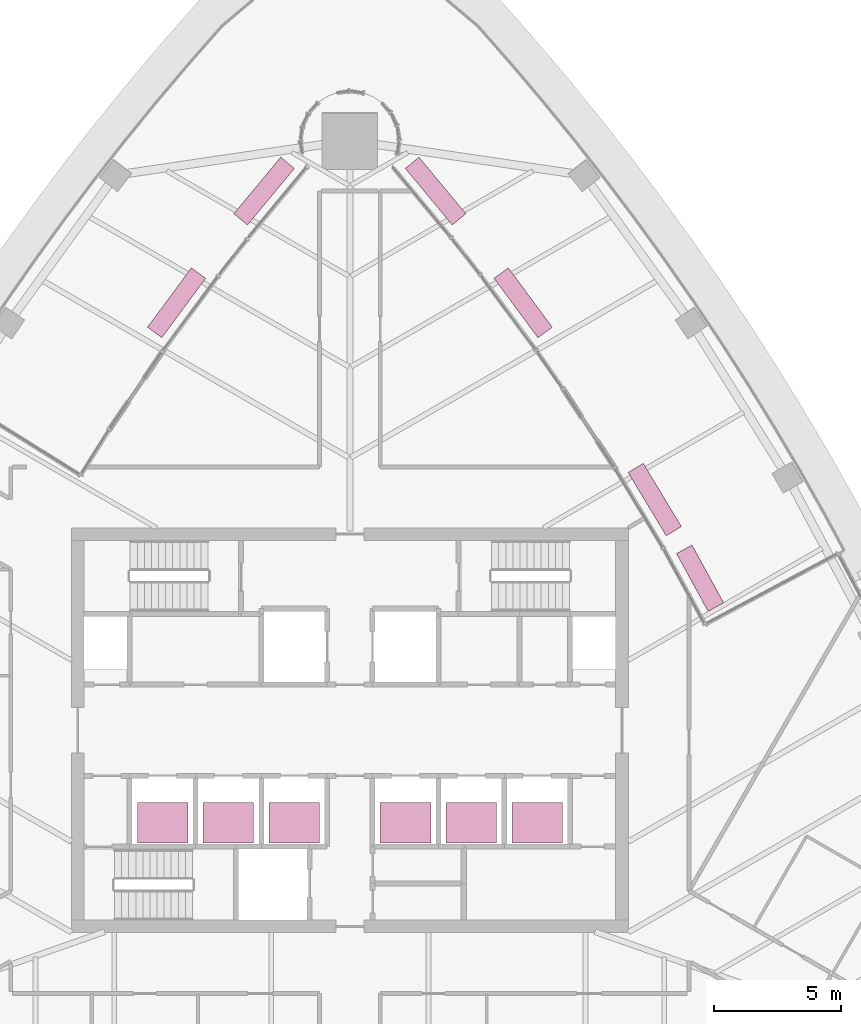
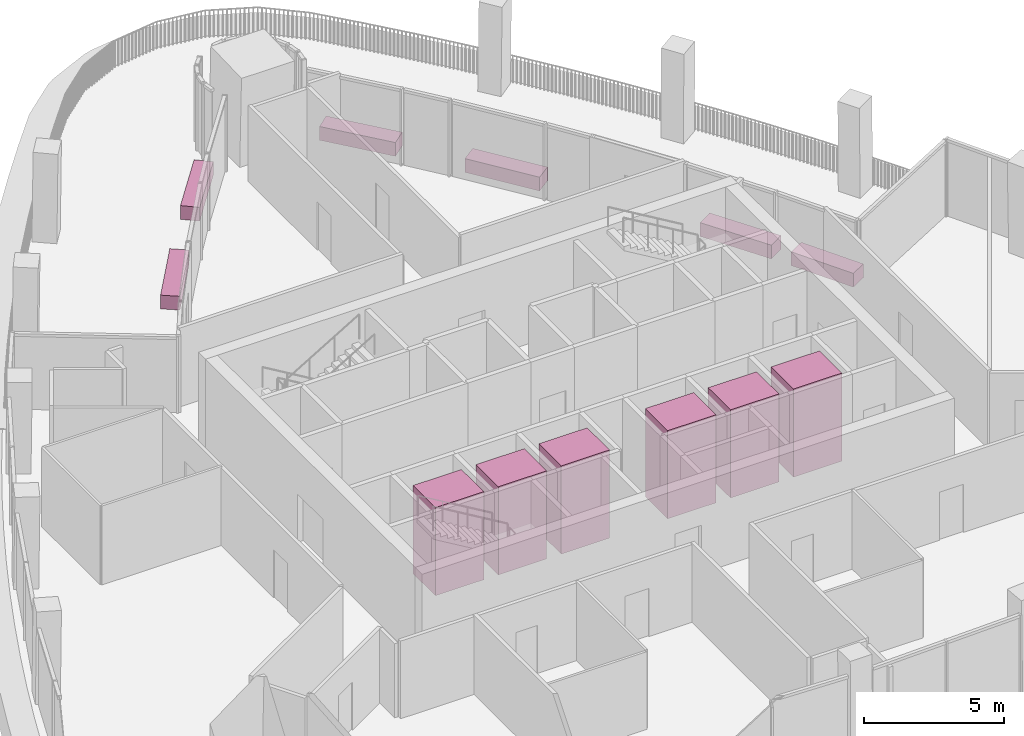
# One storey, part 18 of 18: 6 furniture elements, 6 transport elements.
"""IFC4 building model written with IfcOpenShell, lengths in metres."""

from ifc_helpers import new_model, si_unit, direction, frame, origin, origin_2d, place, context, subcontext, project, spatial, rectangle, extrude, material, type_object, element, save


model = new_model("IFC4")

# Units and contexts
model_context = context("Model", 3, precision=1e-05, world=origin(), true_north=direction((0.0, 1.0)))
body_context = subcontext(model_context, "Body", "Model", "MODEL_VIEW")
ifc_project = project(units=[si_unit("LENGTHUNIT", "METRE"), si_unit("AREAUNIT", "SQUARE_METRE"), si_unit("VOLUMEUNIT", "CUBIC_METRE"), si_unit("PLANEANGLEUNIT", "RADIAN"), si_unit("MASSUNIT", "GRAM", prefix="KILO")], contexts=[model_context])

# Site, building, storey
site_placement = place(None, origin())
site = spatial("IfcSite", under=ifc_project, at=site_placement, CompositionType="ELEMENT")
building_placement = place(site_placement, origin())
building = spatial("IfcBuilding", under=site, at=building_placement, Name="Sierra Prisma Convention Tower", CompositionType="ELEMENT")
storey_placement = place(building_placement, frame((0.0, 0.0, 307.0)))
storey = spatial("IfcBuildingStorey", under=building, at=storey_placement, Name="L70", CompositionType="ELEMENT", Elevation=307.0)

# Transport elements
ifc_material_1 = material(Name="Stainless steel", Category="steel")
transport_element_type = type_object("IfcTransportElementType", Name="Lift car office high 2000x1600 1600 kg", PredefinedType="ELEVATOR", material=ifc_material_1)
for number, where, z_axis, x_axis, name in (
    (1, (-7.39990234375, -3.64990234375, 0.0), (0.0, 0.0, 1.0), (1.0, 0.0, 0.0), "Lift OH1"),
    (2, (-4.800048828125, -3.64990234375, 0.0), (0.0, 0.0, 1.0), (1.0, 0.0, 0.0), "Lift OH2"),
    (3, (-2.199951171875, -3.64990234375, 0.0), (0.0, 0.0, 1.0), (1.0, 0.0, 0.0), "Lift OH3"),
    (4, (2.199951171875, -3.64990234375, 0.0), (0.0, 0.0, 1.0), (1.0, 0.0, 0.0), "Lift OH4"),
    (5, (4.800048828125, -3.64990234375, 0.0), (0.0, 0.0, 1.0), (1.0, 0.0, 0.0), "Lift OH5"),
    (6, (7.39990234375, -3.64990234375, 0.0), (0.0, 0.0, 1.0), (1.0, 0.0, 0.0), "Lift OH6"),
):
    element("IfcTransportElement", number, at=place(storey_placement, frame(where, z_axis=z_axis, x_axis=x_axis)), inside=storey, type_object=transport_element_type, Name=name, PredefinedType="ELEVATOR", context=body_context, shape_type="SweptSolid", body=[
        extrude(rectangle(XDim=2.0, YDim=1.60009765625, at=origin_2d()), origin(), (0.0, 0.0, 1.0), 3.85009765625),
    ])

# Furniture
ifc_material_2 = material(Name="Precast concrete C40/50", Category="concrete")
furniture_type = type_object("IfcFurnitureType", Name="Terrace planter", AssemblyPlace="NOTDEFINED", PredefinedType="USERDEFINED", material=ifc_material_2)
furniture_1_placement = place(storey_placement, frame((13.836181640625, 6.00732421875, 0.0400390625), z_axis=(0.0, 0.0, 1.0), x_axis=(-0.480643159377, 0.876916274991, 0.0)))
element("IfcFurniture", 7, at=furniture_1_placement, inside=storey, type_object=furniture_type, Name="Planter L70.1", ObjectType="PLANTER", PredefinedType="USERDEFINED", context=body_context, shape_type="SweptSolid", body=[
    extrude(rectangle(XDim=2.600830078125, YDim=0.699951171875, at=origin_2d()), origin(), (0.0, 0.0, 1.0), 0.60009765625),
])
for number, where, z_axis, x_axis, name in (
    (8, (12.045166015625, 9.114990234375, 0.0400390625), (0.0, 0.0, 1.0), (-0.516206318013, 0.856464265012, 0.0), "Planter L70.2"),
    (9, (6.845703125, 16.889404296875, 0.0400390625), (0.0, 0.0, 1.0), (-0.59438393371, 0.804181409477, 0.0), "Planter L70.5"),
):
    element("IfcFurniture", number, at=place(storey_placement, frame(where, z_axis=z_axis, x_axis=x_axis)), inside=storey, type_object=furniture_type, Name=name, ObjectType="PLANTER", PredefinedType="USERDEFINED", context=body_context, shape_type="SweptSolid", body=[
        extrude(rectangle(XDim=2.916748046875, YDim=0.699951171875, at=origin_2d()), origin(), (0.0, 0.0, 1.0), 0.60009765625),
    ])
for number, where, z_axis, x_axis, name in (
    (10, (3.3876953125, 21.302490234375, 0.0400390625), (0.0, 0.0, 1.0), (-0.63878406426, 0.76938606645, 0.0), "Planter L70.7"),
    (11, (-3.3876953125, 21.302490234375, 0.0400390625), (0.0, 0.0, 1.0), (-0.63878406426, -0.76938606645, 0.0), "Planter L70.24"),
):
    element("IfcFurniture", number, at=place(storey_placement, frame(where, z_axis=z_axis, x_axis=x_axis)), inside=storey, type_object=furniture_type, Name=name, ObjectType="PLANTER", PredefinedType="USERDEFINED", context=body_context, shape_type="SweptSolid", body=[
        extrude(rectangle(XDim=2.90380859375, YDim=0.699951171875, at=origin_2d()), origin(), (0.0, 0.0, 1.0), 0.60009765625),
    ])
furniture_2_placement = place(storey_placement, frame((-6.845703125, 16.889404296875, 0.0400390625), z_axis=(0.0, 0.0, 1.0), x_axis=(-0.59438393371, -0.804181409477, 0.0)))
element("IfcFurniture", 12, at=furniture_2_placement, inside=storey, type_object=furniture_type, Name="Planter L70.26", ObjectType="PLANTER", PredefinedType="USERDEFINED", context=body_context, shape_type="SweptSolid", body=[
    extrude(rectangle(XDim=2.916748046875, YDim=0.699951171875, at=origin_2d()), origin(), (0.0, 0.0, 1.0), 0.60009765625),
])

save(model, "model.ifc")
